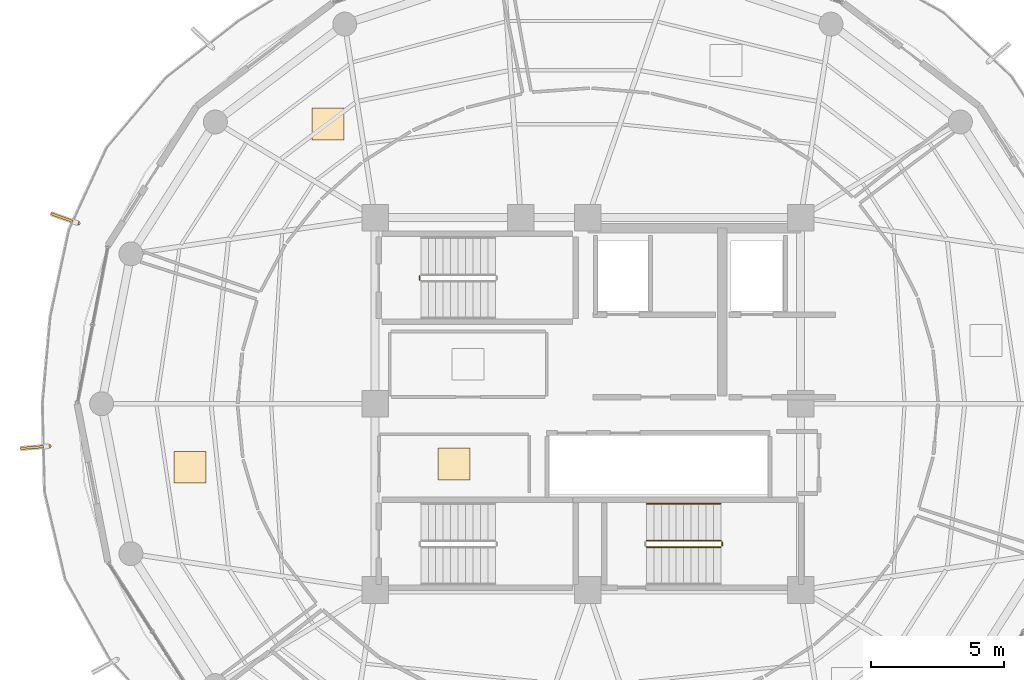
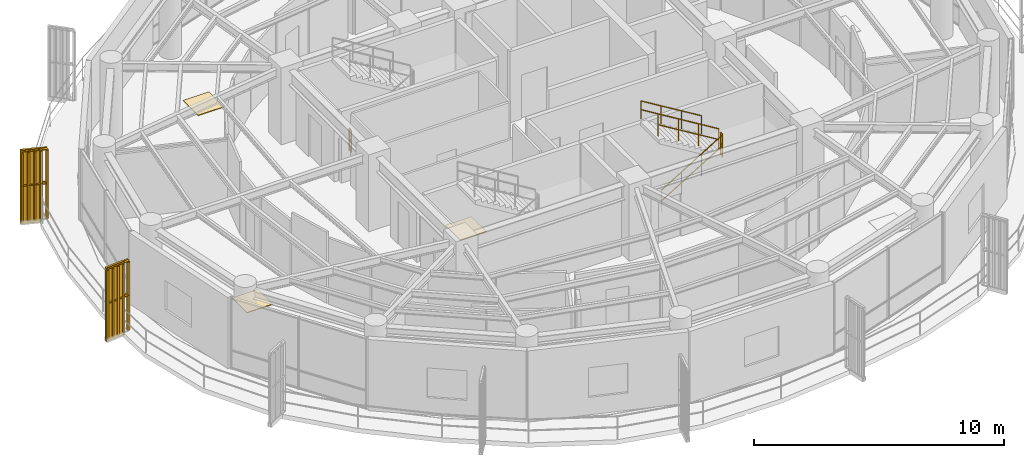
# One storey, part 21 of 23: 7 railings, 3 coverings, 2 shading devices.
"""IFC4 building model written with IfcOpenShell, lengths in metres."""

from ifc_helpers import new_model, si_unit, direction, frame, origin, origin_2d, place, context, subcontext, project, spatial, polyline, rectangle, outline, extrude, source, transform, mapped, material, layer, layer_set, type_object, element, save


model = new_model("IFC4")

# Units and contexts
model_context = context("Model", 3, precision=1e-05, world=origin(), true_north=direction((0.0, 1.0)))
body_context = subcontext(model_context, "Body", "Model", "MODEL_VIEW")
ifc_project = project(units=[si_unit("LENGTHUNIT", "METRE"), si_unit("AREAUNIT", "SQUARE_METRE"), si_unit("VOLUMEUNIT", "CUBIC_METRE"), si_unit("PLANEANGLEUNIT", "RADIAN"), si_unit("MASSUNIT", "GRAM", prefix="KILO")], contexts=[model_context])

# Site, building, storey
site_placement = place(None, origin())
site = spatial("IfcSite", under=ifc_project, at=site_placement, CompositionType="ELEMENT")
building_placement = place(site_placement, origin())
building = spatial("IfcBuilding", under=site, at=building_placement, Name="Kelanora Arch Commons", CompositionType="ELEMENT")
storey_placement = place(building_placement, frame((0.0, 0.0, 286.199951171875)))
storey = spatial("IfcBuildingStorey", under=building, at=storey_placement, Name="L73", CompositionType="ELEMENT", Elevation=286.199951171875)

# Railings
ifc_material_1 = material(Name="Anodised bronze vertical shading fin rib assembly")
railing_type_1 = type_object("IfcRailingType", Name="RAIL-FIN-BRZ", PredefinedType="BALUSTRADE", material=ifc_material_1)
railing_1_placement = place(storey_placement, frame((54.83935546875, 64.784912109375, -0.02001953125)))
element("IfcRailing", 1, at=railing_1_placement, inside=storey, type_object=railing_type_1, Name="Sweeping Bronze Vertical Fin Blade L73-07", PredefinedType="BALUSTRADE", context=body_context, shape_type="SweptSolid", body=[
    extrude(outline(polyline([(0.06982421875, 0.0), (0.034912109375, 0.060546875), (-0.034912109375, 0.060546875), (-0.06982421875, 0.0), (-0.034912109375, -0.060546875), (0.034912109375, -0.060546875), (0.06982421875, 0.0)])), frame((0.0, 0.0, 3.419921875), z_axis=(-0.94271649224, 0.333594986861, 0.0), x_axis=(-0.333594986861, -0.94271649224, 0.0)), (0.0, 0.0, 1.0), 1.021728515625),
    extrude(outline(polyline([(0.06982421875, 0.0), (0.034912109375, 0.060546875), (-0.034912109375, 0.060546875), (-0.06982421875, 0.0), (-0.034912109375, -0.060546875), (0.034912109375, -0.060546875), (0.06982421875, 0.0)])), frame((0.0, 0.0, 1.7451171875), z_axis=(-0.94271649224, 0.333594986861, 0.0), x_axis=(-0.333594986861, -0.94271649224, 0.0)), (0.0, 0.0, 1.0), 1.021728515625),
    extrude(outline(polyline([(0.080078125, 0.0), (0.0400390625, 0.0693359375), (-0.0400390625, 0.0693359375), (-0.080078125, 0.0), (-0.0400390625, -0.0693359375), (0.0400390625, -0.0693359375), (0.080078125, 0.0)])), origin(), (0.0, 0.0, 1.0), 3.35009765625),
    extrude(outline(polyline([(0.080078125, 0.0), (0.0400390625, 0.0693359375), (-0.0400390625, 0.0693359375), (-0.080078125, 0.0), (-0.0400390625, -0.0693359375), (0.0400390625, -0.0693359375), (0.080078125, 0.0)])), frame((-0.24072265625, 0.085205078125, 0.0)), (0.0, 0.0, 1.0), 3.35009765625),
    extrude(outline(polyline([(0.080078125, 0.0), (0.0400390625, 0.0693359375), (-0.0400390625, 0.0693359375), (-0.080078125, 0.0), (-0.0400390625, -0.0693359375), (0.0400390625, -0.0693359375), (0.080078125, 0.0)])), frame((-0.4814453125, 0.17041015625, 0.0)), (0.0, 0.0, 1.0), 3.35009765625),
    extrude(outline(polyline([(0.080078125, 0.0), (0.0400390625, 0.0693359375), (-0.0400390625, 0.0693359375), (-0.080078125, 0.0), (-0.0400390625, -0.0693359375), (0.0400390625, -0.0693359375), (0.080078125, 0.0)])), frame((-0.722412109375, 0.255615234375, 0.0)), (0.0, 0.0, 1.0), 3.35009765625),
    extrude(outline(polyline([(0.080078125, 0.0), (0.0400390625, 0.0693359375), (-0.0400390625, 0.0693359375), (-0.080078125, 0.0), (-0.0400390625, -0.0693359375), (0.0400390625, -0.0693359375), (0.080078125, 0.0)])), frame((-0.963134765625, 0.3408203125, 0.0)), (0.0, 0.0, 1.0), 3.35009765625),
])
railing_2_placement = place(storey_placement, frame((53.75146484375, 56.406005859375, -0.02001953125)))
element("IfcRailing", 2, at=railing_2_placement, inside=storey, type_object=railing_type_1, Name="Sweeping Bronze Vertical Fin Blade L73-08", PredefinedType="BALUSTRADE", context=body_context, shape_type="SweptSolid", body=[
    extrude(outline(polyline([(0.06982421875, 0.0), (0.034912109375, 0.060546875), (-0.034912109375, 0.060546875), (-0.06982421875, 0.0), (-0.034912109375, -0.060546875), (0.034912109375, -0.060546875), (0.06982421875, 0.0)])), frame((0.0, 0.0, 3.419921875), z_axis=(-0.99692375096, -0.078377514457, 0.0), x_axis=(0.078377514457, -0.99692375096, 0.0)), (0.0, 0.0, 1.0), 1.021728515625),
    extrude(outline(polyline([(0.06982421875, 0.0), (0.034912109375, 0.060546875), (-0.034912109375, 0.060546875), (-0.06982421875, 0.0), (-0.034912109375, -0.060546875), (0.034912109375, -0.060546875), (0.06982421875, 0.0)])), frame((0.0, 0.0, 1.7451171875), z_axis=(-0.99692375096, -0.078377514457, 0.0), x_axis=(0.078377514457, -0.99692375096, 0.0)), (0.0, 0.0, 1.0), 1.021728515625),
    extrude(outline(polyline([(0.080078125, 0.0), (0.0400390625, 0.0693359375), (-0.0400390625, 0.0693359375), (-0.080078125, 0.0), (-0.0400390625, -0.0693359375), (0.0400390625, -0.0693359375), (0.080078125, 0.0)])), origin(), (0.0, 0.0, 1.0), 3.35009765625),
    extrude(outline(polyline([(0.080078125, 0.0), (0.0400390625, 0.0693359375), (-0.0400390625, 0.0693359375), (-0.080078125, 0.0), (-0.0400390625, -0.0693359375), (0.0400390625, -0.0693359375), (0.080078125, 0.0)])), frame((-0.254638671875, -0.02001953125, 0.0)), (0.0, 0.0, 1.0), 3.35009765625),
    extrude(outline(polyline([(0.080078125, 0.0), (0.0400390625, 0.0693359375), (-0.0400390625, 0.0693359375), (-0.080078125, 0.0), (-0.0400390625, -0.0693359375), (0.0400390625, -0.0693359375), (0.080078125, 0.0)])), frame((-0.50927734375, -0.0400390625, 0.0)), (0.0, 0.0, 1.0), 3.35009765625),
    extrude(outline(polyline([(0.080078125, 0.0), (0.0400390625, 0.0693359375), (-0.0400390625, 0.0693359375), (-0.080078125, 0.0), (-0.0400390625, -0.0693359375), (0.0400390625, -0.0693359375), (0.080078125, 0.0)])), frame((-0.763916015625, -0.06005859375, 0.0)), (0.0, 0.0, 1.0), 3.35009765625),
    extrude(outline(polyline([(0.080078125, 0.0), (0.0400390625, 0.0693359375), (-0.0400390625, 0.0693359375), (-0.080078125, 0.0), (-0.0400390625, -0.0693359375), (0.0400390625, -0.0693359375), (0.080078125, 0.0)])), frame((-1.0185546875, -0.080078125, 0.0)), (0.0, 0.0, 1.0), 3.35009765625),
])
ifc_material_2 = material(Name="Painted steel stair well guard", Category="steel")
railing_type_2 = type_object("IfcRailingType", Name="RAIL-STAIR-GRD", PredefinedType="GUARDRAIL", material=ifc_material_2)
railing_3_placement = place(storey_placement, frame((67.669921875, 62.659912109375, 0.0)))
element("IfcRailing", 3, at=railing_3_placement, inside=storey, type_object=railing_type_2, Name="L73 ST-T1 stair guard 4", PredefinedType="GUARDRAIL", context=body_context, shape_type="SweptSolid", body=[
    extrude(outline(polyline([(0.02392578125, 0.0), (0.011962890625, 0.020751953125), (-0.011962890625, 0.020751953125), (-0.02392578125, 0.0), (-0.011962890625, -0.020751953125), (0.011962890625, -0.020751953125), (0.02392578125, 0.0)])), frame((0.0, 0.0, 1.076171875), z_axis=(0.0, 1.0, 0.0), x_axis=(-1.0, 0.0, 0.0)), (0.0, 0.0, 1.0), 0.150146484375),
    extrude(outline(polyline([(0.02392578125, 0.0), (0.011962890625, 0.020751953125), (-0.011962890625, 0.020751953125), (-0.02392578125, 0.0), (-0.011962890625, -0.020751953125), (0.011962890625, -0.020751953125), (0.02392578125, 0.0)])), frame((0.0, 0.0, 0.550048828125), z_axis=(0.0, 1.0, 0.0), x_axis=(-1.0, 0.0, 0.0)), (0.0, 0.0, 1.0), 0.150146484375),
    extrude(outline(polyline([(0.02099609375, 0.0), (0.010498046875, 0.01806640625), (-0.010498046875, 0.01806640625), (-0.02099609375, 0.0), (-0.010498046875, -0.01806640625), (0.010498046875, -0.01806640625), (0.02099609375, 0.0)])), origin(), (0.0, 0.0, 1.0), 1.052001953125),
    extrude(outline(polyline([(0.02099609375, 0.0), (0.010498046875, 0.01806640625), (-0.010498046875, 0.01806640625), (-0.02099609375, 0.0), (-0.010498046875, -0.01806640625), (0.010498046875, -0.01806640625), (0.02099609375, 0.0)])), frame((0.0, 0.150146484375, 0.0)), (0.0, 0.0, 1.0), 1.052001953125),
])
railing_4_placement = place(storey_placement, frame((76.199951171875, 52.610107421875, 0.17041015625)))
element("IfcRailing", 4, at=railing_4_placement, inside=storey, type_object=railing_type_2, Name="L73 ST-T2 stair guard 1", PredefinedType="GUARDRAIL", context=body_context, shape_type="SweptSolid", body=[
    extrude(outline(polyline([(0.02392578125, 0.0), (0.011962890625, 0.020751953125), (-0.011962890625, 0.020751953125), (-0.02392578125, 0.0), (-0.011962890625, -0.020751953125), (0.011962890625, -0.020751953125), (0.02392578125, 0.0)])), frame((0.0, 0.0, 1.076171875), z_axis=(0.854169791009, 0.0, 0.51999420009), x_axis=(0.0, 1.0, 0.0)), (0.0, 0.0, 1.0), 3.278076171875),
    extrude(outline(polyline([(0.02392578125, 0.0), (0.011962890625, 0.020751953125), (-0.011962890625, 0.020751953125), (-0.02392578125, 0.0), (-0.011962890625, -0.020751953125), (0.011962890625, -0.020751953125), (0.02392578125, 0.0)])), frame((0.0, 0.0, 0.550048828125), z_axis=(0.854169791009, 0.0, 0.51999420009), x_axis=(0.0, 1.0, 0.0)), (0.0, 0.0, 1.0), 3.278076171875),
    extrude(outline(polyline([(0.02099609375, 0.0), (0.010498046875, 0.01806640625), (-0.010498046875, 0.01806640625), (-0.02099609375, 0.0), (-0.010498046875, -0.01806640625), (0.010498046875, -0.01806640625), (0.02099609375, 0.0)])), origin(), (0.0, 0.0, 1.0), 1.052001953125),
    extrude(outline(polyline([(0.02099609375, 0.0), (0.010498046875, 0.01806640625), (-0.010498046875, 0.01806640625), (-0.02099609375, 0.0), (-0.010498046875, -0.01806640625), (0.010498046875, -0.01806640625), (0.02099609375, 0.0)])), frame((0.933349609375, 0.0, 0.568115234375)), (0.0, 0.0, 1.0), 1.052001953125),
    extrude(outline(polyline([(0.02099609375, 0.0), (0.010498046875, 0.01806640625), (-0.010498046875, 0.01806640625), (-0.02099609375, 0.0), (-0.010498046875, -0.01806640625), (0.010498046875, -0.01806640625), (0.02099609375, 0.0)])), frame((1.86669921875, 0.0, 1.136474609375)), (0.0, 0.0, 1.0), 1.052001953125),
    extrude(outline(polyline([(0.02099609375, 0.0), (0.010498046875, 0.01806640625), (-0.010498046875, 0.01806640625), (-0.02099609375, 0.0), (-0.010498046875, -0.01806640625), (0.010498046875, -0.01806640625), (0.02099609375, 0.0)])), frame((2.800048828125, 0.0, 1.70458984375)), (0.0, 0.0, 1.0), 1.052001953125),
])
railing_5_placement = place(storey_placement, frame((79.050048828125, 52.659912109375, 1.875)))
element("IfcRailing", 5, at=railing_5_placement, inside=storey, type_object=railing_type_2, Name="L73 ST-T2 stair guard 2", PredefinedType="GUARDRAIL", context=body_context, shape_type="SweptSolid", body=[
    extrude(outline(polyline([(0.02392578125, 0.0), (0.011962890625, 0.020751953125), (-0.011962890625, 0.020751953125), (-0.02392578125, 0.0), (-0.011962890625, -0.020751953125), (0.011962890625, -0.020751953125), (0.02392578125, 0.0)])), frame((0.0, 0.0, 1.076171875), z_axis=(0.0, 1.0, 0.0), x_axis=(-1.0, 0.0, 0.0)), (0.0, 0.0, 1.0), 0.150146484375),
    extrude(outline(polyline([(0.02392578125, 0.0), (0.011962890625, 0.020751953125), (-0.011962890625, 0.020751953125), (-0.02392578125, 0.0), (-0.011962890625, -0.020751953125), (0.011962890625, -0.020751953125), (0.02392578125, 0.0)])), frame((0.0, 0.0, 0.550048828125), z_axis=(0.0, 1.0, 0.0), x_axis=(-1.0, 0.0, 0.0)), (0.0, 0.0, 1.0), 0.150146484375),
    extrude(outline(polyline([(0.02099609375, 0.0), (0.010498046875, 0.01806640625), (-0.010498046875, 0.01806640625), (-0.02099609375, 0.0), (-0.010498046875, -0.01806640625), (0.010498046875, -0.01806640625), (0.02099609375, 0.0)])), origin(), (0.0, 0.0, 1.0), 1.052001953125),
    extrude(outline(polyline([(0.02099609375, 0.0), (0.010498046875, 0.01806640625), (-0.010498046875, 0.01806640625), (-0.02099609375, 0.0), (-0.010498046875, -0.01806640625), (0.010498046875, -0.01806640625), (0.02099609375, 0.0)])), frame((0.0, 0.150146484375, 0.0)), (0.0, 0.0, 1.0), 1.052001953125),
])
railing_6_placement = place(storey_placement, frame((79.0, 52.860107421875, 2.04541015625)))
element("IfcRailing", 6, at=railing_6_placement, inside=storey, type_object=railing_type_2, Name="L73 ST-T2 stair guard 3", PredefinedType="GUARDRAIL", context=body_context, shape_type="SweptSolid", body=[
    extrude(outline(polyline([(0.02392578125, 0.0), (0.011962890625, 0.020751953125), (-0.011962890625, 0.020751953125), (-0.02392578125, 0.0), (-0.011962890625, -0.020751953125), (0.011962890625, -0.020751953125), (0.02392578125, 0.0)])), frame((0.0, 0.0, 1.076171875), z_axis=(-0.854169791009, 0.0, 0.51999420009), x_axis=(0.0, -1.0, 0.0)), (0.0, 0.0, 1.0), 3.278076171875),
    extrude(outline(polyline([(0.02392578125, 0.0), (0.011962890625, 0.020751953125), (-0.011962890625, 0.020751953125), (-0.02392578125, 0.0), (-0.011962890625, -0.020751953125), (0.011962890625, -0.020751953125), (0.02392578125, 0.0)])), frame((0.0, 0.0, 0.550048828125), z_axis=(-0.854169791009, 0.0, 0.51999420009), x_axis=(0.0, -1.0, 0.0)), (0.0, 0.0, 1.0), 3.278076171875),
    extrude(outline(polyline([(0.02099609375, 0.0), (0.010498046875, 0.01806640625), (-0.010498046875, 0.01806640625), (-0.02099609375, 0.0), (-0.010498046875, -0.01806640625), (0.010498046875, -0.01806640625), (0.02099609375, 0.0)])), origin(), (0.0, 0.0, 1.0), 1.052001953125),
    extrude(outline(polyline([(0.02099609375, 0.0), (0.010498046875, 0.01806640625), (-0.010498046875, 0.01806640625), (-0.02099609375, 0.0), (-0.010498046875, -0.01806640625), (0.010498046875, -0.01806640625), (0.02099609375, 0.0)])), frame((-0.933349609375, 0.0, 0.568115234375)), (0.0, 0.0, 1.0), 1.052001953125),
    extrude(outline(polyline([(0.02099609375, 0.0), (0.010498046875, 0.01806640625), (-0.010498046875, 0.01806640625), (-0.02099609375, 0.0), (-0.010498046875, -0.01806640625), (0.010498046875, -0.01806640625), (0.02099609375, 0.0)])), frame((-1.86669921875, 0.0, 1.136474609375)), (0.0, 0.0, 1.0), 1.052001953125),
    extrude(outline(polyline([(0.02099609375, 0.0), (0.010498046875, 0.01806640625), (-0.010498046875, 0.01806640625), (-0.02099609375, 0.0), (-0.010498046875, -0.01806640625), (0.010498046875, -0.01806640625), (0.02099609375, 0.0)])), frame((-2.800048828125, 0.0, 1.70458984375)), (0.0, 0.0, 1.0), 1.052001953125),
])
ifc_material_3 = material(Name="Brushed stainless steel stair handrail", Category="steel")
railing_type_3 = type_object("IfcRailingType", Name="RAIL-STAIR-HND", PredefinedType="HANDRAIL", material=ifc_material_3)
railing_7_placement = place(storey_placement, frame((79.0, 54.239990234375, 2.04541015625)))
element("IfcRailing", 7, at=railing_7_placement, inside=storey, type_object=railing_type_3, Name="L73 ST-T2 stair handrail 2", PredefinedType="HANDRAIL", context=body_context, shape_type="SweptSolid", body=[
    extrude(outline(polyline([(0.02392578125, 0.0), (0.011962890625, 0.020751953125), (-0.011962890625, 0.020751953125), (-0.02392578125, 0.0), (-0.011962890625, -0.020751953125), (0.011962890625, -0.020751953125), (0.02392578125, 0.0)])), frame((0.0, 0.0, 0.8759765625), z_axis=(-0.854169791009, 0.0, 0.51999420009), x_axis=(0.0, -1.0, 0.0)), (0.0, 0.0, 1.0), 3.278076171875),
    extrude(outline(polyline([(0.02392578125, 0.0), (0.011962890625, 0.020751953125), (-0.011962890625, 0.020751953125), (-0.02392578125, 0.0), (-0.011962890625, -0.020751953125), (0.011962890625, -0.020751953125), (0.02392578125, 0.0)])), frame((0.0, 0.0, 0.449951171875), z_axis=(-0.854169791009, 0.0, 0.51999420009), x_axis=(0.0, -1.0, 0.0)), (0.0, 0.0, 1.0), 3.278076171875),
    extrude(outline(polyline([(0.02099609375, 0.0), (0.010498046875, 0.01806640625), (-0.010498046875, 0.01806640625), (-0.02099609375, 0.0), (-0.010498046875, -0.01806640625), (0.010498046875, -0.01806640625), (0.02099609375, 0.0)])), origin(), (0.0, 0.0, 1.0), 0.851806640625),
    extrude(outline(polyline([(0.02099609375, 0.0), (0.010498046875, 0.01806640625), (-0.010498046875, 0.01806640625), (-0.02099609375, 0.0), (-0.010498046875, -0.01806640625), (0.010498046875, -0.01806640625), (0.02099609375, 0.0)])), frame((-0.933349609375, 0.0, 0.568115234375)), (0.0, 0.0, 1.0), 0.851806640625),
    extrude(outline(polyline([(0.02099609375, 0.0), (0.010498046875, 0.01806640625), (-0.010498046875, 0.01806640625), (-0.02099609375, 0.0), (-0.010498046875, -0.01806640625), (0.010498046875, -0.01806640625), (0.02099609375, 0.0)])), frame((-1.86669921875, 0.0, 1.136474609375)), (0.0, 0.0, 1.0), 0.851806640625),
    extrude(outline(polyline([(0.02099609375, 0.0), (0.010498046875, 0.01806640625), (-0.010498046875, 0.01806640625), (-0.02099609375, 0.0), (-0.010498046875, -0.01806640625), (0.010498046875, -0.01806640625), (0.02099609375, 0.0)])), frame((-2.800048828125, 0.0, 1.70458984375)), (0.0, 0.0, 1.0), 0.851806640625),
])

# Shading devices
ifc_material_4 = material(Name="Terracotta ceramic-clad extruded aluminium fin", Category="masonry")
shading_device_type = type_object("IfcShadingDeviceType", Name="SHD-FIN-FLARE", PredefinedType="USERDEFINED", material=ifc_material_4)
shared_shape_1 = source(origin(), body_context, "Body", "SweptSolid", [
    extrude(rectangle(XDim=0.8798828125, YDim=0.090087890625, at=origin_2d()), origin(), (0.0, 0.0, 1.0), 3.610107421875),
])
for number, where, z_axis, x_axis, name in (
    (8, (54.225830078125, 65.001953125, -0.14013671875), (0.0, 0.0, 1.0), (-0.942641491092, 0.333806859234, 0.0), "Sweeping Terracotta Fin L73-07"),
    (9, (53.102783203125, 56.35498046875, -0.14013671875), (0.0, 0.0, 1.0), (-0.996917333733, -0.078459095728, 0.0), "Sweeping Terracotta Fin L73-08"),
):
    element("IfcShadingDevice", number, at=place(storey_placement, frame(where, z_axis=z_axis, x_axis=x_axis)), inside=storey, type_object=shading_device_type, Name=name, ObjectType="FIN", PredefinedType="USERDEFINED", context=body_context, shape_type="MappedRepresentation", body=[
        mapped(shared_shape_1, transform((0.0, 0.0, 0.0), scale=1.0)),
    ])

# Coverings
ifc_material_5 = material(Name="Polished local granite terrazzo flooring", Category="masonry")
ifc_layer = layer(ifc_material_5, 0.030029296875)
ifc_layer_set = layer_set([ifc_layer], Name="Polished local granite terrazzo flooring")
covering_type = type_object("IfcCoveringType", Name="COV-FLR-TER", PredefinedType="FLOORING", material=ifc_layer_set)
shared_shape_2 = source(origin(), body_context, "Body", "SweptSolid", [
    extrude(rectangle(XDim=1.199951171875, YDim=1.199951171875, at=origin_2d()), origin(), (0.0, 0.0, 1.0), 0.030029296875),
])
for number, where, z_axis, x_axis, name in (
    (10, (68.97509765625, 55.735107421875, 0.0), (0.0, 0.0, 1.0), (1.0, 0.0, 0.0), "Reclaimed Core High-Zone Pantry and Copy Room L73 Terrazzo Finish"),
    (11, (64.233154296875, 68.52001953125, 0.0), (0.0, 0.0, 1.0), (1.0, 0.0, 0.0), "Communal Dining and Social Hall L73-01 Terrazzo Finish"),
    (12, (59.03662109375, 55.615478515625, 0.0), (0.0, 0.0, 1.0), (1.0, 0.0, 0.0), "Social Sky Lounge L73-02 Terrazzo Finish"),
):
    element("IfcCovering", number, at=place(storey_placement, frame(where, z_axis=z_axis, x_axis=x_axis)), inside=storey, type_object=covering_type, Name=name, PredefinedType="FLOORING", context=body_context, shape_type="MappedRepresentation", body=[
        mapped(shared_shape_2, transform((0.0, 0.0, 0.0), scale=1.0)),
    ])

save(model, "model.ifc")
